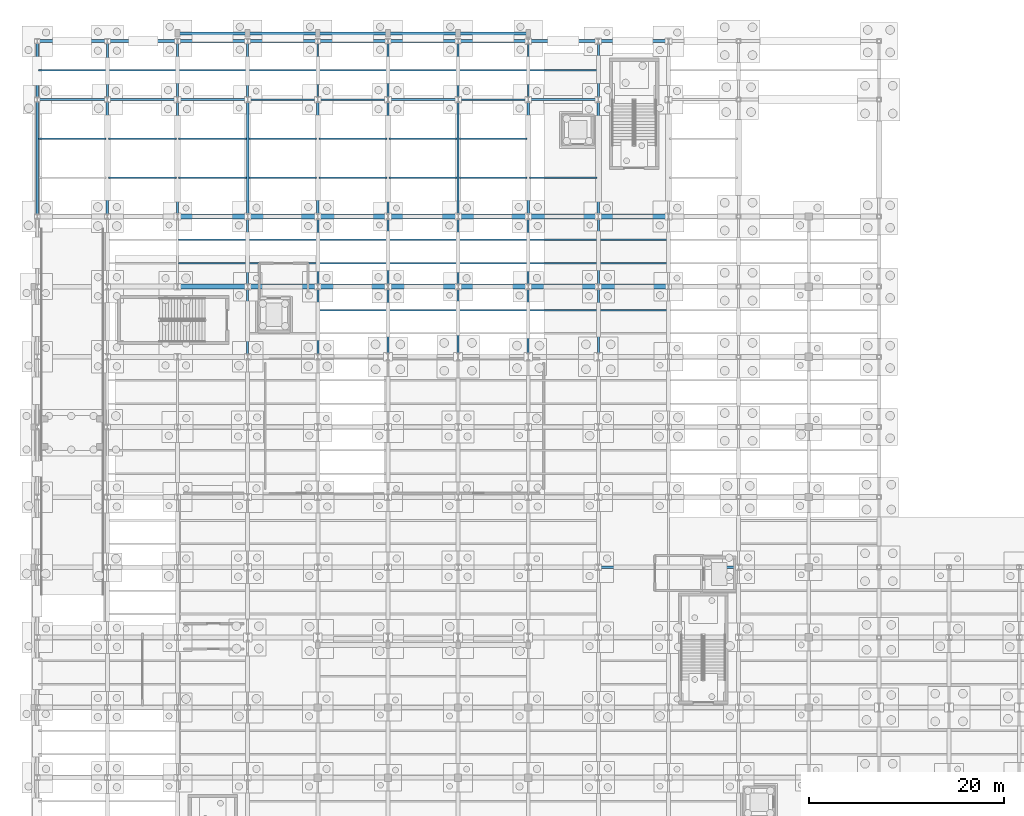
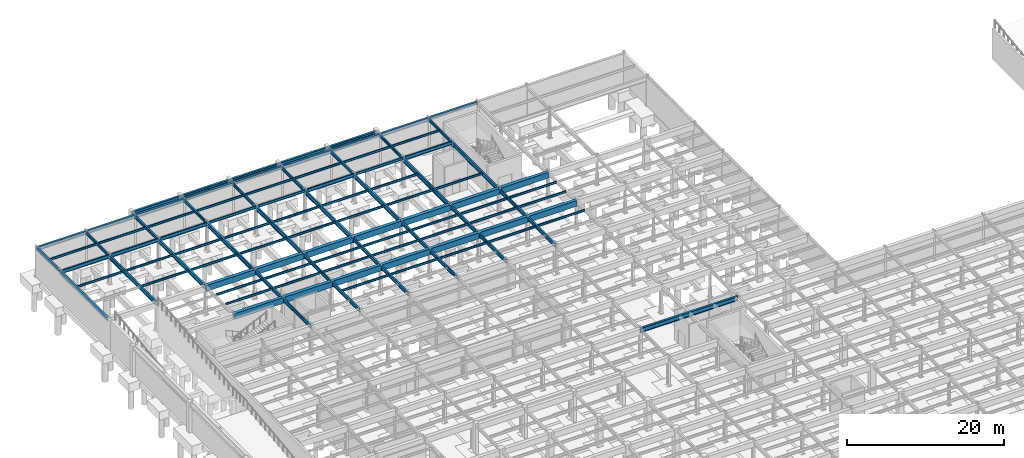
# One storey, part 38 of 64: 108 beams.
"""IFC4 building model written with IfcOpenShell, lengths in metres."""

from ifc_helpers import new_model, si_unit, direction, frame, origin, origin_2d, place, context, subcontext, project, spatial, rectangle, i_section, extrude, material, material_profile, profile_set, type_object, element, save


model = new_model("IFC4")

# Units and contexts
model_context = context("Model", 3, precision=1e-05, world=origin(), true_north=direction((0.0, 1.0)))
body_context = subcontext(model_context, "Body", "Model", "MODEL_VIEW")
ifc_project = project(units=[si_unit("LENGTHUNIT", "METRE"), si_unit("AREAUNIT", "SQUARE_METRE"), si_unit("VOLUMEUNIT", "CUBIC_METRE"), si_unit("PLANEANGLEUNIT", "RADIAN"), si_unit("MASSUNIT", "GRAM", prefix="KILO")], contexts=[model_context])

# Site, building, storey
site_placement = place(None, origin())
site = spatial("IfcSite", under=ifc_project, at=site_placement, CompositionType="ELEMENT")
building_placement = place(site_placement, origin())
building = spatial("IfcBuilding", under=site, at=building_placement, Name="Solvadek Multi-Sports Hall", CompositionType="ELEMENT")
storey_placement = place(building_placement, frame((0.0, 0.0, -4.800048828125)))
storey = spatial("IfcBuildingStorey", under=building, at=storey_placement, Name="B1", CompositionType="ELEMENT", Elevation=-4.800048828125)

# Beams
ifc_material_1 = material(Name="Steel E350 (350 MPa)", Category="steel")
ifc_material_profile_1 = material_profile(ifc_material_1, i_section(OverallWidth=0.139892578125, OverallDepth=0.39990234375, WebThickness=0.0087890625, FlangeThickness=0.01611328125, at=origin_2d()), Name="ISMB 400")
ifc_profile_set_1 = profile_set([ifc_material_profile_1], Name="Steel E350 (350 MPa)")
beam_type_1 = type_object("IfcBeamType", Name="STR-BM-ISMB400", PredefinedType="BEAM", material=ifc_profile_set_1)
for number, where, z_axis, x_axis, name in (
    (1, (21.60009765625, 104.39990234375, 4.35009765625), (1.0, 0.0, 0.0), (0.0, 1.0, 0.0), "B1 Girder B-10 #230"),
    (2, (28.800048828125, 104.39990234375, 4.35009765625), (1.0, 0.0, 0.0), (0.0, 1.0, 0.0), "B1 Girder B-10 #231"),
    (3, (43.199951171875, 104.39990234375, 4.35009765625), (1.0, 0.0, 0.0), (0.0, 1.0, 0.0), "B1 Girder B-10 #233"),
):
    element("IfcBeam", number, at=place(storey_placement, frame(where, z_axis=z_axis, x_axis=x_axis)), inside=storey, type_object=beam_type_1, Name=name, PredefinedType="BEAM", context=body_context, shape_type="SweptSolid", body=[
        extrude(i_section(OverallWidth=0.139892578125, OverallDepth=0.39990234375, WebThickness=0.0087890625, FlangeThickness=0.01611328125, at=origin_2d()), origin(), (0.0, 0.0, 1.0), 7.199951171875),
    ])
ifc_material_profile_2 = material_profile(ifc_material_1, i_section(OverallWidth=0.18994140625, OverallDepth=0.550048828125, WebThickness=0.01123046875, FlangeThickness=0.019287109375, at=origin_2d()), Name="ISMB 550")
ifc_profile_set_2 = profile_set([ifc_material_profile_2], Name="Steel E350 (350 MPa)")
beam_type_2 = type_object("IfcBeamType", Name="STR-BM-ISMB550", PredefinedType="BEAM", material=ifc_profile_set_2)
for number, where, z_axis, x_axis, name in (
    (4, (0.0, 104.39990234375, 4.275146484375), (1.0, 0.0, 0.0), (0.0, 1.0, 0.0), "B1 Girder B-06 #227"),
    (5, (7.199951171875, 104.39990234375, 4.275146484375), (1.0, 0.0, 0.0), (0.0, 1.0, 0.0), "B1 Girder B-06 #228"),
):
    element("IfcBeam", number, at=place(storey_placement, frame(where, z_axis=z_axis, x_axis=x_axis)), inside=storey, type_object=beam_type_2, Name=name, PredefinedType="BEAM", context=body_context, shape_type="SweptSolid", body=[
        extrude(i_section(OverallWidth=0.18994140625, OverallDepth=0.550048828125, WebThickness=0.01123046875, FlangeThickness=0.019287109375, at=origin_2d()), origin(), (0.0, 0.0, 1.0), 7.199951171875),
    ])
beam_1_placement = place(storey_placement, frame((14.39990234375, 104.39990234375, 4.275146484375), z_axis=(1.0, 0.0, 0.0), x_axis=(0.0, 1.0, 0.0)))
element("IfcBeam", 6, at=beam_1_placement, inside=storey, type_object=beam_type_2, Name="B1 Girder B-06 #229", PredefinedType="BEAM", context=body_context, shape_type="SweptSolid", body=[
    extrude(i_section(OverallWidth=0.18994140625, OverallDepth=0.550048828125, WebThickness=0.01123046875, FlangeThickness=0.019287109375, at=origin_2d()), origin(), (0.0, 0.0, 1.0), 7.2001953125),
])
beam_2_placement = place(storey_placement, frame((36.0, 104.39990234375, 4.275146484375), z_axis=(1.0, 0.0, 0.0), x_axis=(0.0, 1.0, 0.0)))
element("IfcBeam", 7, at=beam_2_placement, inside=storey, type_object=beam_type_2, Name="B1 Girder B-06 #232", PredefinedType="BEAM", context=body_context, shape_type="SweptSolid", body=[
    extrude(i_section(OverallWidth=0.18994140625, OverallDepth=0.550048828125, WebThickness=0.01123046875, FlangeThickness=0.019287109375, at=origin_2d()), origin(), (0.0, 0.0, 1.0), 7.199951171875),
])
beam_3_placement = place(storey_placement, frame((50.39990234375, 104.39990234375, 4.275146484375), z_axis=(1.0, 0.0, 0.0), x_axis=(0.0, 1.0, 0.0)))
element("IfcBeam", 8, at=beam_3_placement, inside=storey, type_object=beam_type_2, Name="B1 Girder B-06 #234", PredefinedType="BEAM", context=body_context, shape_type="SweptSolid", body=[
    extrude(i_section(OverallWidth=0.18994140625, OverallDepth=0.550048828125, WebThickness=0.01123046875, FlangeThickness=0.019287109375, at=origin_2d()), origin(), (0.0, 0.0, 1.0), 7.2001953125),
])
ifc_material_profile_3 = material_profile(ifc_material_1, i_section(OverallWidth=0.18994140625, OverallDepth=0.449951171875, WebThickness=0.009521484375, FlangeThickness=0.0146484375, at=origin_2d()), Name="NPB 450")
ifc_profile_set_3 = profile_set([ifc_material_profile_3], Name="Steel E350 (350 MPa)")
beam_type_3 = type_object("IfcBeamType", Name="STR-BM-NPB450", PredefinedType="BEAM", material=ifc_profile_set_3)
for number, where, z_axis, x_axis, name in (
    (9, (7.199951171875, 104.39990234375, 4.324951171875), (0.0, 1.0, 0.0), (-1.0, 0.0, 0.0), "B1 Girder B-08 #280"),
    (10, (14.39990234375, 104.39990234375, 4.324951171875), (0.0, 1.0, 0.0), (-1.0, 0.0, 0.0), "B1 Girder B-08 #291"),
    (11, (21.60009765625, 104.39990234375, 4.324951171875), (0.0, 1.0, 0.0), (-1.0, 0.0, 0.0), "B1 Girder B-08 #303"),
    (12, (28.800048828125, 104.39990234375, 4.324951171875), (0.0, 1.0, 0.0), (-1.0, 0.0, 0.0), "B1 Girder B-08 #315"),
    (13, (36.0, 104.39990234375, 4.324951171875), (0.0, 1.0, 0.0), (-1.0, 0.0, 0.0), "B1 Girder B-08 #329"),
    (14, (43.199951171875, 104.39990234375, 4.324951171875), (0.0, 1.0, 0.0), (-1.0, 0.0, 0.0), "B1 Girder B-08 #345"),
    (15, (50.39990234375, 104.39990234375, 4.324951171875), (0.0, 1.0, 0.0), (-1.0, 0.0, 0.0), "B1 Girder B-08 #361"),
    (16, (57.60009765625, 104.39990234375, 4.324951171875), (0.0, 1.0, 0.0), (-1.0, 0.0, 0.0), "B1 Girder B-08 #380"),
):
    element("IfcBeam", number, at=place(storey_placement, frame(where, z_axis=z_axis, x_axis=x_axis)), inside=storey, type_object=beam_type_3, Name=name, PredefinedType="BEAM", context=body_context, shape_type="SweptSolid", body=[
        extrude(i_section(OverallWidth=0.18994140625, OverallDepth=0.449951171875, WebThickness=0.009521484375, FlangeThickness=0.0146484375, at=origin_2d()), origin(), (0.0, 0.0, 1.0), 6.0),
    ])
ifc_material_profile_4 = material_profile(ifc_material_1, i_section(OverallWidth=0.2099609375, OverallDepth=0.550048828125, WebThickness=0.010986328125, FlangeThickness=0.01708984375, at=origin_2d()), Name="NPB 550")
ifc_profile_set_4 = profile_set([ifc_material_profile_4], Name="Steel E350 (350 MPa)")
beam_type_4 = type_object("IfcBeamType", Name="STR-BM-NPB550", PredefinedType="BEAM", material=ifc_profile_set_4)
for number, where, z_axis, x_axis, name in (
    (17, (21.60009765625, 78.0, 4.275146484375), (0.0, 1.0, 0.0), (-1.0, 0.0, 0.0), "B1 Girder B-05 #300"),
    (18, (21.60009765625, 85.199951171875, 4.275146484375), (0.0, 1.0, 0.0), (-1.0, 0.0, 0.0), "B1 Girder B-05 #301"),
    (19, (28.800048828125, 78.0, 4.275146484375), (0.0, 1.0, 0.0), (-1.0, 0.0, 0.0), "B1 Girder B-05 #312"),
    (20, (28.800048828125, 85.199951171875, 4.275146484375), (0.0, 1.0, 0.0), (-1.0, 0.0, 0.0), "B1 Girder B-05 #313"),
    (21, (36.0, 78.0, 4.275146484375), (0.0, 1.0, 0.0), (-1.0, 0.0, 0.0), "B1 Girder B-05 #326"),
    (22, (36.0, 85.199951171875, 4.275146484375), (0.0, 1.0, 0.0), (-1.0, 0.0, 0.0), "B1 Girder B-05 #327"),
    (23, (43.199951171875, 78.0, 4.275146484375), (0.0, 1.0, 0.0), (-1.0, 0.0, 0.0), "B1 Girder B-05 #342"),
    (24, (43.199951171875, 85.199951171875, 4.275146484375), (0.0, 1.0, 0.0), (-1.0, 0.0, 0.0), "B1 Girder B-05 #343"),
    (25, (50.39990234375, 78.0, 4.275146484375), (0.0, 1.0, 0.0), (-1.0, 0.0, 0.0), "B1 Girder B-05 #358"),
    (26, (50.39990234375, 85.199951171875, 4.275146484375), (0.0, 1.0, 0.0), (-1.0, 0.0, 0.0), "B1 Girder B-05 #359"),
    (27, (57.60009765625, 78.0, 4.275146484375), (0.0, 1.0, 0.0), (-1.0, 0.0, 0.0), "B1 Girder B-05 #377"),
    (28, (57.60009765625, 85.199951171875, 4.275146484375), (0.0, 1.0, 0.0), (-1.0, 0.0, 0.0), "B1 Girder B-05 #378"),
):
    element("IfcBeam", number, at=place(storey_placement, frame(where, z_axis=z_axis, x_axis=x_axis)), inside=storey, type_object=beam_type_4, Name=name, PredefinedType="BEAM", context=body_context, shape_type="SweptSolid", body=[
        extrude(i_section(OverallWidth=0.2099609375, OverallDepth=0.550048828125, WebThickness=0.010986328125, FlangeThickness=0.01708984375, at=origin_2d()), origin(), (0.0, 0.0, 1.0), 7.199951171875),
    ])
ifc_material_profile_5 = material_profile(ifc_material_1, i_section(OverallWidth=0.239990234375, OverallDepth=0.64990234375, WebThickness=0.0126953125, FlangeThickness=0.0205078125, at=origin_2d()), Name="NPB 650")
ifc_profile_set_5 = profile_set([ifc_material_profile_5], Name="Steel E350 (350 MPa)")
beam_type_5 = type_object("IfcBeamType", Name="STR-BM-NPB650", PredefinedType="BEAM", material=ifc_profile_set_5)
for number, where, z_axis, x_axis, name in (
    (29, (7.199951171875, 92.39990234375, 4.22509765625), (0.0, 1.0, 0.0), (-1.0, 0.0, 0.0), "B1 Girder B-03 #279"),
    (30, (14.39990234375, 92.39990234375, 4.22509765625), (0.0, 1.0, 0.0), (-1.0, 0.0, 0.0), "B1 Girder B-03 #290"),
    (31, (21.60009765625, 92.39990234375, 4.22509765625), (0.0, 1.0, 0.0), (-1.0, 0.0, 0.0), "B1 Girder B-03 #302"),
    (32, (28.800048828125, 92.39990234375, 4.22509765625), (0.0, 1.0, 0.0), (-1.0, 0.0, 0.0), "B1 Girder B-03 #314"),
    (33, (36.0, 92.39990234375, 4.22509765625), (0.0, 1.0, 0.0), (-1.0, 0.0, 0.0), "B1 Girder B-03 #328"),
    (34, (43.199951171875, 92.39990234375, 4.22509765625), (0.0, 1.0, 0.0), (-1.0, 0.0, 0.0), "B1 Girder B-03 #344"),
    (35, (50.39990234375, 92.39990234375, 4.22509765625), (0.0, 1.0, 0.0), (-1.0, 0.0, 0.0), "B1 Girder B-03 #360"),
    (36, (57.60009765625, 92.39990234375, 4.22509765625), (0.0, 1.0, 0.0), (-1.0, 0.0, 0.0), "B1 Girder B-03 #379"),
):
    element("IfcBeam", number, at=place(storey_placement, frame(where, z_axis=z_axis, x_axis=x_axis)), inside=storey, type_object=beam_type_5, Name=name, PredefinedType="BEAM", context=body_context, shape_type="SweptSolid", body=[
        extrude(i_section(OverallWidth=0.239990234375, OverallDepth=0.64990234375, WebThickness=0.0126953125, FlangeThickness=0.0205078125, at=origin_2d()), origin(), (0.0, 0.0, 1.0), 12.0),
    ])
ifc_material_profile_6 = material_profile(ifc_material_1, i_section(OverallWidth=0.300048828125, OverallDepth=0.699951171875, WebThickness=0.01708984375, FlangeThickness=0.031982421875, at=origin_2d()), Name="WPB 700")
ifc_profile_set_6 = profile_set([ifc_material_profile_6], Name="Steel E350 (350 MPa)")
beam_type_6 = type_object("IfcBeamType", Name="STR-BM-WPB700", PredefinedType="BEAM", material=ifc_profile_set_6)
beam_4_placement = place(storey_placement, frame((57.60009765625, 56.39990234375, 4.199951171875), z_axis=(1.0, 0.0, 0.0), x_axis=(0.0, 1.0, 0.0)))
element("IfcBeam", 37, at=beam_4_placement, inside=storey, type_object=beam_type_6, Name="B1 Girder B-01 #150", PredefinedType="BEAM", context=body_context, shape_type="SweptSolid", body=[
    extrude(i_section(OverallWidth=0.300048828125, OverallDepth=0.699951171875, WebThickness=0.01708984375, FlangeThickness=0.031982421875, at=origin_2d()), origin(), (0.0, 0.0, 1.0), 14.39990234375),
])
ifc_material_profile_7 = material_profile(ifc_material_1, i_section(OverallWidth=0.159912109375, OverallDepth=0.330078125, WebThickness=0.007568359375, FlangeThickness=0.011474609375, at=origin_2d()), Name="NPB 330")
ifc_profile_set_7 = profile_set([ifc_material_profile_7], Name="Steel E350 (350 MPa)")
beam_type_7 = type_object("IfcBeamType", Name="STR-JST-NPB330", PredefinedType="JOIST", material=ifc_profile_set_7)
for number, where, z_axis, x_axis, name in (
    (38, (28.905029296875, 82.800048828125, 4.385009765625), (1.0, 0.0, 0.0), (0.0, 1.0, 0.0), "B1 Composite Joist J-02 #303"),
    (39, (36.10498046875, 82.800048828125, 4.385009765625), (1.0, 0.0, 0.0), (0.0, 1.0, 0.0), "B1 Composite Joist J-02 #305"),
    (40, (43.304931640625, 82.800048828125, 4.385009765625), (1.0, 0.0, 0.0), (0.0, 1.0, 0.0), "B1 Composite Joist J-02 #307"),
):
    element("IfcBeam", number, at=place(storey_placement, frame(where, z_axis=z_axis, x_axis=x_axis)), inside=storey, type_object=beam_type_7, Name=name, PredefinedType="JOIST", context=body_context, shape_type="SweptSolid", body=[
        extrude(i_section(OverallWidth=0.159912109375, OverallDepth=0.330078125, WebThickness=0.007568359375, FlangeThickness=0.011474609375, at=origin_2d()), origin(), (0.0, 0.0, 1.0), 6.989990234375),
    ])
beam_5_placement = place(storey_placement, frame((50.5048828125, 82.800048828125, 4.385009765625), z_axis=(1.0, 0.0, 0.0), x_axis=(0.0, 1.0, 0.0)))
element("IfcBeam", 41, at=beam_5_placement, inside=storey, type_object=beam_type_7, Name="B1 Composite Joist J-02 #309", PredefinedType="JOIST", context=body_context, shape_type="SweptSolid", body=[
    extrude(i_section(OverallWidth=0.159912109375, OverallDepth=0.330078125, WebThickness=0.007568359375, FlangeThickness=0.011474609375, at=origin_2d()), origin(), (0.0, 0.0, 1.0), 6.990234375),
])
beam_6_placement = place(storey_placement, frame((57.705078125, 82.800048828125, 4.385009765625), z_axis=(1.0, 0.0, 0.0), x_axis=(0.0, 1.0, 0.0)))
element("IfcBeam", 42, at=beam_6_placement, inside=storey, type_object=beam_type_7, Name="B1 Composite Joist J-02 #311", PredefinedType="JOIST", context=body_context, shape_type="SweptSolid", body=[
    extrude(i_section(OverallWidth=0.159912109375, OverallDepth=0.330078125, WebThickness=0.007568359375, FlangeThickness=0.011474609375, at=origin_2d()), origin(), (0.0, 0.0, 1.0), 6.989990234375),
])
for number, where, z_axis, x_axis, name in (
    (43, (14.5048828125, 87.60009765625, 4.385009765625), (1.0, 0.0, 0.0), (0.0, 1.0, 0.0), "B1 Composite Joist J-02 #320"),
    (44, (14.5048828125, 90.0, 4.385009765625), (1.0, 0.0, 0.0), (0.0, 1.0, 0.0), "B1 Composite Joist J-02 #321"),
):
    element("IfcBeam", number, at=place(storey_placement, frame(where, z_axis=z_axis, x_axis=x_axis)), inside=storey, type_object=beam_type_7, Name=name, PredefinedType="JOIST", context=body_context, shape_type="SweptSolid", body=[
        extrude(i_section(OverallWidth=0.159912109375, OverallDepth=0.330078125, WebThickness=0.007568359375, FlangeThickness=0.011474609375, at=origin_2d()), origin(), (0.0, 0.0, 1.0), 6.990234375),
    ])
for number, where, z_axis, x_axis, name in (
    (45, (21.705078125, 87.60009765625, 4.385009765625), (1.0, 0.0, 0.0), (0.0, 1.0, 0.0), "B1 Composite Joist J-02 #322"),
    (46, (21.705078125, 90.0, 4.385009765625), (1.0, 0.0, 0.0), (0.0, 1.0, 0.0), "B1 Composite Joist J-02 #323"),
    (47, (28.905029296875, 87.60009765625, 4.385009765625), (1.0, 0.0, 0.0), (0.0, 1.0, 0.0), "B1 Composite Joist J-02 #324"),
    (48, (28.905029296875, 90.0, 4.385009765625), (1.0, 0.0, 0.0), (0.0, 1.0, 0.0), "B1 Composite Joist J-02 #325"),
    (49, (36.10498046875, 87.60009765625, 4.385009765625), (1.0, 0.0, 0.0), (0.0, 1.0, 0.0), "B1 Composite Joist J-02 #326"),
    (50, (36.10498046875, 90.0, 4.385009765625), (1.0, 0.0, 0.0), (0.0, 1.0, 0.0), "B1 Composite Joist J-02 #327"),
    (51, (43.304931640625, 87.60009765625, 4.385009765625), (1.0, 0.0, 0.0), (0.0, 1.0, 0.0), "B1 Composite Joist J-02 #328"),
    (52, (43.304931640625, 90.0, 4.385009765625), (1.0, 0.0, 0.0), (0.0, 1.0, 0.0), "B1 Composite Joist J-02 #329"),
):
    element("IfcBeam", number, at=place(storey_placement, frame(where, z_axis=z_axis, x_axis=x_axis)), inside=storey, type_object=beam_type_7, Name=name, PredefinedType="JOIST", context=body_context, shape_type="SweptSolid", body=[
        extrude(i_section(OverallWidth=0.159912109375, OverallDepth=0.330078125, WebThickness=0.007568359375, FlangeThickness=0.011474609375, at=origin_2d()), origin(), (0.0, 0.0, 1.0), 6.989990234375),
    ])
for number, where, z_axis, x_axis, name in (
    (53, (50.5048828125, 87.60009765625, 4.385009765625), (1.0, 0.0, 0.0), (0.0, 1.0, 0.0), "B1 Composite Joist J-02 #330"),
    (54, (50.5048828125, 90.0, 4.385009765625), (1.0, 0.0, 0.0), (0.0, 1.0, 0.0), "B1 Composite Joist J-02 #331"),
):
    element("IfcBeam", number, at=place(storey_placement, frame(where, z_axis=z_axis, x_axis=x_axis)), inside=storey, type_object=beam_type_7, Name=name, PredefinedType="JOIST", context=body_context, shape_type="SweptSolid", body=[
        extrude(i_section(OverallWidth=0.159912109375, OverallDepth=0.330078125, WebThickness=0.007568359375, FlangeThickness=0.011474609375, at=origin_2d()), origin(), (0.0, 0.0, 1.0), 6.990234375),
    ])
for number, where, z_axis, x_axis, name in (
    (55, (57.705078125, 87.60009765625, 4.385009765625), (1.0, 0.0, 0.0), (0.0, 1.0, 0.0), "B1 Composite Joist J-02 #332"),
    (56, (57.705078125, 90.0, 4.385009765625), (1.0, 0.0, 0.0), (0.0, 1.0, 0.0), "B1 Composite Joist J-02 #333"),
):
    element("IfcBeam", number, at=place(storey_placement, frame(where, z_axis=z_axis, x_axis=x_axis)), inside=storey, type_object=beam_type_7, Name=name, PredefinedType="JOIST", context=body_context, shape_type="SweptSolid", body=[
        extrude(i_section(OverallWidth=0.159912109375, OverallDepth=0.330078125, WebThickness=0.007568359375, FlangeThickness=0.011474609375, at=origin_2d()), origin(), (0.0, 0.0, 1.0), 6.989990234375),
    ])
beam_7_placement = place(storey_placement, frame((0.14990234375, 100.39990234375, 4.385009765625), z_axis=(1.0, 0.0, 0.0), x_axis=(0.0, 1.0, 0.0)))
element("IfcBeam", 57, at=beam_7_placement, inside=storey, type_object=beam_type_7, Name="B1 Composite Joist J-02 #341", PredefinedType="JOIST", context=body_context, shape_type="SweptSolid", body=[
    extrude(i_section(OverallWidth=0.159912109375, OverallDepth=0.330078125, WebThickness=0.007568359375, FlangeThickness=0.011474609375, at=origin_2d()), origin(), (0.0, 0.0, 1.0), 6.93017578125),
])
for number, where, z_axis, x_axis, name in (
    (58, (7.320068359375, 96.39990234375, 4.385009765625), (1.0, 0.0, 0.0), (0.0, 1.0, 0.0), "B1 Composite Joist J-02 #342"),
    (59, (7.320068359375, 100.39990234375, 4.385009765625), (1.0, 0.0, 0.0), (0.0, 1.0, 0.0), "B1 Composite Joist J-02 #343"),
    (60, (14.52001953125, 96.39990234375, 4.385009765625), (1.0, 0.0, 0.0), (0.0, 1.0, 0.0), "B1 Composite Joist J-02 #344"),
    (61, (14.52001953125, 100.39990234375, 4.385009765625), (1.0, 0.0, 0.0), (0.0, 1.0, 0.0), "B1 Composite Joist J-02 #345"),
    (62, (21.719970703125, 96.39990234375, 4.385009765625), (1.0, 0.0, 0.0), (0.0, 1.0, 0.0), "B1 Composite Joist J-02 #346"),
    (63, (21.719970703125, 100.39990234375, 4.385009765625), (1.0, 0.0, 0.0), (0.0, 1.0, 0.0), "B1 Composite Joist J-02 #347"),
    (64, (28.919921875, 96.39990234375, 4.385009765625), (1.0, 0.0, 0.0), (0.0, 1.0, 0.0), "B1 Composite Joist J-02 #348"),
    (65, (28.919921875, 100.39990234375, 4.385009765625), (1.0, 0.0, 0.0), (0.0, 1.0, 0.0), "B1 Composite Joist J-02 #349"),
    (66, (36.1201171875, 96.39990234375, 4.385009765625), (1.0, 0.0, 0.0), (0.0, 1.0, 0.0), "B1 Composite Joist J-02 #350"),
    (67, (36.1201171875, 100.39990234375, 4.385009765625), (1.0, 0.0, 0.0), (0.0, 1.0, 0.0), "B1 Composite Joist J-02 #351"),
    (68, (43.320068359375, 96.39990234375, 4.385009765625), (1.0, 0.0, 0.0), (0.0, 1.0, 0.0), "B1 Composite Joist J-02 #352"),
    (69, (43.320068359375, 100.39990234375, 4.385009765625), (1.0, 0.0, 0.0), (0.0, 1.0, 0.0), "B1 Composite Joist J-02 #353"),
    (70, (50.52001953125, 96.39990234375, 4.385009765625), (1.0, 0.0, 0.0), (0.0, 1.0, 0.0), "B1 Composite Joist J-02 #354"),
):
    element("IfcBeam", number, at=place(storey_placement, frame(where, z_axis=z_axis, x_axis=x_axis)), inside=storey, type_object=beam_type_7, Name=name, PredefinedType="JOIST", context=body_context, shape_type="SweptSolid", body=[
        extrude(i_section(OverallWidth=0.159912109375, OverallDepth=0.330078125, WebThickness=0.007568359375, FlangeThickness=0.011474609375, at=origin_2d()), origin(), (0.0, 0.0, 1.0), 6.9599609375),
    ])
beam_8_placement = place(storey_placement, frame((0.14990234375, 107.39990234375, 4.385009765625), z_axis=(1.0, 0.0, 0.0), x_axis=(0.0, 1.0, 0.0)))
element("IfcBeam", 71, at=beam_8_placement, inside=storey, type_object=beam_type_7, Name="B1 Composite Joist J-02 #357", PredefinedType="JOIST", context=body_context, shape_type="SweptSolid", body=[
    extrude(i_section(OverallWidth=0.159912109375, OverallDepth=0.330078125, WebThickness=0.007568359375, FlangeThickness=0.011474609375, at=origin_2d()), origin(), (0.0, 0.0, 1.0), 6.955078125),
])
beam_9_placement = place(storey_placement, frame((7.294921875, 107.39990234375, 4.385009765625), z_axis=(1.0, 0.0, 0.0), x_axis=(0.0, 1.0, 0.0)))
element("IfcBeam", 72, at=beam_9_placement, inside=storey, type_object=beam_type_7, Name="B1 Composite Joist J-02 #358", PredefinedType="JOIST", context=body_context, shape_type="SweptSolid", body=[
    extrude(i_section(OverallWidth=0.159912109375, OverallDepth=0.330078125, WebThickness=0.007568359375, FlangeThickness=0.011474609375, at=origin_2d()), origin(), (0.0, 0.0, 1.0), 7.010009765625),
])
beam_10_placement = place(storey_placement, frame((14.4951171875, 107.39990234375, 4.385009765625), z_axis=(1.0, 0.0, 0.0), x_axis=(0.0, 1.0, 0.0)))
element("IfcBeam", 73, at=beam_10_placement, inside=storey, type_object=beam_type_7, Name="B1 Composite Joist J-02 #359", PredefinedType="JOIST", context=body_context, shape_type="SweptSolid", body=[
    extrude(i_section(OverallWidth=0.159912109375, OverallDepth=0.330078125, WebThickness=0.007568359375, FlangeThickness=0.011474609375, at=origin_2d()), origin(), (0.0, 0.0, 1.0), 7.009765625),
])
for number, where, z_axis, x_axis, name in (
    (74, (21.695068359375, 107.39990234375, 4.385009765625), (1.0, 0.0, 0.0), (0.0, 1.0, 0.0), "B1 Composite Joist J-02 #360"),
    (75, (28.89501953125, 107.39990234375, 4.385009765625), (1.0, 0.0, 0.0), (0.0, 1.0, 0.0), "B1 Composite Joist J-02 #361"),
    (76, (36.094970703125, 107.39990234375, 4.385009765625), (1.0, 0.0, 0.0), (0.0, 1.0, 0.0), "B1 Composite Joist J-02 #362"),
    (77, (43.294921875, 107.39990234375, 4.385009765625), (1.0, 0.0, 0.0), (0.0, 1.0, 0.0), "B1 Composite Joist J-02 #363"),
):
    element("IfcBeam", number, at=place(storey_placement, frame(where, z_axis=z_axis, x_axis=x_axis)), inside=storey, type_object=beam_type_7, Name=name, PredefinedType="JOIST", context=body_context, shape_type="SweptSolid", body=[
        extrude(i_section(OverallWidth=0.159912109375, OverallDepth=0.330078125, WebThickness=0.007568359375, FlangeThickness=0.011474609375, at=origin_2d()), origin(), (0.0, 0.0, 1.0), 7.010009765625),
    ])
beam_11_placement = place(storey_placement, frame((50.4951171875, 107.39990234375, 4.385009765625), z_axis=(1.0, 0.0, 0.0), x_axis=(0.0, 1.0, 0.0)))
element("IfcBeam", 78, at=beam_11_placement, inside=storey, type_object=beam_type_7, Name="B1 Composite Joist J-02 #364", PredefinedType="JOIST", context=body_context, shape_type="SweptSolid", body=[
    extrude(i_section(OverallWidth=0.159912109375, OverallDepth=0.330078125, WebThickness=0.007568359375, FlangeThickness=0.011474609375, at=origin_2d()), origin(), (0.0, 0.0, 1.0), 7.009765625),
])
ifc_material_profile_8 = material_profile(ifc_material_1, i_section(OverallWidth=0.300048828125, OverallDepth=0.39990234375, WebThickness=0.013427734375, FlangeThickness=0.02392578125, at=origin_2d()), Name="WPB 400")
ifc_profile_set_8 = profile_set([ifc_material_profile_8], Name="Steel E350 (350 MPa)")
beam_type_8 = type_object("IfcBeamType", Name="STR-SPN-WPB400", PredefinedType="SPANDREL", material=ifc_profile_set_8)
for number, where, z_axis, x_axis, name in (
    (79, (21.60009765625, 110.39990234375, 4.35009765625), (1.0, 0.0, 0.0), (0.0, 1.0, 0.0), "B1 Girder SP-02 #240"),
    (80, (28.800048828125, 110.39990234375, 4.35009765625), (1.0, 0.0, 0.0), (0.0, 1.0, 0.0), "B1 Girder SP-02 #241"),
    (81, (43.199951171875, 110.39990234375, 4.35009765625), (1.0, 0.0, 0.0), (0.0, 1.0, 0.0), "B1 Girder SP-02 #243"),
    (82, (57.60009765625, 110.39990234375, 4.35009765625), (1.0, 0.0, 0.0), (0.0, 1.0, 0.0), "B1 Girder SP-02 #245"),
    (83, (21.60009765625, 111.199951171875, 4.35009765625), (1.0, 0.0, 0.0), (0.0, 1.0, 0.0), "B1 Girder SP-02 #249"),
    (84, (28.800048828125, 111.199951171875, 4.35009765625), (1.0, 0.0, 0.0), (0.0, 1.0, 0.0), "B1 Girder SP-02 #250"),
    (85, (43.199951171875, 111.199951171875, 4.35009765625), (1.0, 0.0, 0.0), (0.0, 1.0, 0.0), "B1 Girder SP-02 #252"),
):
    element("IfcBeam", number, at=place(storey_placement, frame(where, z_axis=z_axis, x_axis=x_axis)), inside=storey, type_object=beam_type_8, Name=name, PredefinedType="SPANDREL", context=body_context, shape_type="SweptSolid", body=[
        extrude(i_section(OverallWidth=0.300048828125, OverallDepth=0.39990234375, WebThickness=0.013427734375, FlangeThickness=0.02392578125, at=origin_2d()), origin(), (0.0, 0.0, 1.0), 7.199951171875),
    ])
beam_12_placement = place(storey_placement, frame((0.0, 104.39990234375, 4.35009765625), z_axis=(0.0, 1.0, 0.0), x_axis=(-1.0, 0.0, 0.0)))
element("IfcBeam", 86, at=beam_12_placement, inside=storey, type_object=beam_type_8, Name="B1 Girder SP-02 #268", PredefinedType="SPANDREL", context=body_context, shape_type="SweptSolid", body=[
    extrude(i_section(OverallWidth=0.300048828125, OverallDepth=0.39990234375, WebThickness=0.013427734375, FlangeThickness=0.02392578125, at=origin_2d()), origin(), (0.0, 0.0, 1.0), 6.0),
])
ifc_material_profile_9 = material_profile(ifc_material_1, i_section(OverallWidth=0.300048828125, OverallDepth=0.5, WebThickness=0.014404296875, FlangeThickness=0.028076171875, at=origin_2d()), Name="WPB 500")
ifc_profile_set_9 = profile_set([ifc_material_profile_9], Name="Steel E350 (350 MPa)")
beam_type_9 = type_object("IfcBeamType", Name="STR-SPN-WPB500", PredefinedType="SPANDREL", material=ifc_profile_set_9)
for number, where, z_axis, x_axis, name in (
    (87, (0.0, 110.39990234375, 4.300048828125), (1.0, 0.0, 0.0), (0.0, 1.0, 0.0), "B1 Girder SP-01 #237"),
    (88, (7.199951171875, 110.39990234375, 4.300048828125), (1.0, 0.0, 0.0), (0.0, 1.0, 0.0), "B1 Girder SP-01 #238"),
):
    element("IfcBeam", number, at=place(storey_placement, frame(where, z_axis=z_axis, x_axis=x_axis)), inside=storey, type_object=beam_type_9, Name=name, PredefinedType="SPANDREL", context=body_context, shape_type="SweptSolid", body=[
        extrude(i_section(OverallWidth=0.300048828125, OverallDepth=0.5, WebThickness=0.014404296875, FlangeThickness=0.028076171875, at=origin_2d()), origin(), (0.0, 0.0, 1.0), 7.199951171875),
    ])
beam_13_placement = place(storey_placement, frame((14.39990234375, 110.39990234375, 4.300048828125), z_axis=(1.0, 0.0, 0.0), x_axis=(0.0, 1.0, 0.0)))
element("IfcBeam", 89, at=beam_13_placement, inside=storey, type_object=beam_type_9, Name="B1 Girder SP-01 #239", PredefinedType="SPANDREL", context=body_context, shape_type="SweptSolid", body=[
    extrude(i_section(OverallWidth=0.300048828125, OverallDepth=0.5, WebThickness=0.014404296875, FlangeThickness=0.028076171875, at=origin_2d()), origin(), (0.0, 0.0, 1.0), 7.2001953125),
])
beam_14_placement = place(storey_placement, frame((36.0, 110.39990234375, 4.300048828125), z_axis=(1.0, 0.0, 0.0), x_axis=(0.0, 1.0, 0.0)))
element("IfcBeam", 90, at=beam_14_placement, inside=storey, type_object=beam_type_9, Name="B1 Girder SP-01 #242", PredefinedType="SPANDREL", context=body_context, shape_type="SweptSolid", body=[
    extrude(i_section(OverallWidth=0.300048828125, OverallDepth=0.5, WebThickness=0.014404296875, FlangeThickness=0.028076171875, at=origin_2d()), origin(), (0.0, 0.0, 1.0), 7.199951171875),
])
for number, where, z_axis, x_axis, name in (
    (91, (50.39990234375, 110.39990234375, 4.300048828125), (1.0, 0.0, 0.0), (0.0, 1.0, 0.0), "B1 Girder SP-01 #244"),
    (92, (14.39990234375, 111.199951171875, 4.300048828125), (1.0, 0.0, 0.0), (0.0, 1.0, 0.0), "B1 Girder SP-01 #248"),
):
    element("IfcBeam", number, at=place(storey_placement, frame(where, z_axis=z_axis, x_axis=x_axis)), inside=storey, type_object=beam_type_9, Name=name, PredefinedType="SPANDREL", context=body_context, shape_type="SweptSolid", body=[
        extrude(i_section(OverallWidth=0.300048828125, OverallDepth=0.5, WebThickness=0.014404296875, FlangeThickness=0.028076171875, at=origin_2d()), origin(), (0.0, 0.0, 1.0), 7.2001953125),
    ])
beam_15_placement = place(storey_placement, frame((36.0, 111.199951171875, 4.300048828125), z_axis=(1.0, 0.0, 0.0), x_axis=(0.0, 1.0, 0.0)))
element("IfcBeam", 93, at=beam_15_placement, inside=storey, type_object=beam_type_9, Name="B1 Girder SP-01 #251", PredefinedType="SPANDREL", context=body_context, shape_type="SweptSolid", body=[
    extrude(i_section(OverallWidth=0.300048828125, OverallDepth=0.5, WebThickness=0.014404296875, FlangeThickness=0.028076171875, at=origin_2d()), origin(), (0.0, 0.0, 1.0), 7.199951171875),
])
beam_16_placement = place(storey_placement, frame((0.0, 92.39990234375, 4.300048828125), z_axis=(0.0, 1.0, 0.0), x_axis=(-1.0, 0.0, 0.0)))
element("IfcBeam", 94, at=beam_16_placement, inside=storey, type_object=beam_type_9, Name="B1 Girder SP-01 #267", PredefinedType="SPANDREL", context=body_context, shape_type="SweptSolid", body=[
    extrude(i_section(OverallWidth=0.300048828125, OverallDepth=0.5, WebThickness=0.014404296875, FlangeThickness=0.028076171875, at=origin_2d()), origin(), (0.0, 0.0, 1.0), 12.0),
])
ifc_material_2 = material(Name="Concrete M35", Category="concrete")
ifc_material_profile_10 = material_profile(ifc_material_2, rectangle(XDim=0.5, YDim=0.89990234375, at=origin_2d()), Name="RC T-BEAM 500x900")
ifc_profile_set_10 = profile_set([ifc_material_profile_10], Name="Concrete M35")
beam_type_10 = type_object("IfcBeamType", Name="STR-TBM-500X900", PredefinedType="T_BEAM", material=ifc_profile_set_10)
beam_17_placement = place(storey_placement, frame((14.39990234375, 85.199951171875, 4.10009765625), z_axis=(1.0, 0.0, 0.0), x_axis=(0.0, 1.0, 0.0)))
element("IfcBeam", 95, at=beam_17_placement, inside=storey, type_object=beam_type_10, Name="B1 Girder TB-02 #205", PredefinedType="T_BEAM", context=body_context, shape_type="SweptSolid", body=[
    extrude(rectangle(XDim=0.5, YDim=0.89990234375, at=origin_2d()), origin(), (0.0, 0.0, 1.0), 7.2001953125),
])
for number, where, z_axis, x_axis, name in (
    (96, (21.60009765625, 85.199951171875, 4.10009765625), (1.0, 0.0, 0.0), (0.0, 1.0, 0.0), "B1 Girder TB-02 #206"),
    (97, (28.800048828125, 85.199951171875, 4.10009765625), (1.0, 0.0, 0.0), (0.0, 1.0, 0.0), "B1 Girder TB-02 #207"),
    (98, (36.0, 85.199951171875, 4.10009765625), (1.0, 0.0, 0.0), (0.0, 1.0, 0.0), "B1 Girder TB-02 #208"),
    (99, (43.199951171875, 85.199951171875, 4.10009765625), (1.0, 0.0, 0.0), (0.0, 1.0, 0.0), "B1 Girder TB-02 #209"),
):
    element("IfcBeam", number, at=place(storey_placement, frame(where, z_axis=z_axis, x_axis=x_axis)), inside=storey, type_object=beam_type_10, Name=name, PredefinedType="T_BEAM", context=body_context, shape_type="SweptSolid", body=[
        extrude(rectangle(XDim=0.5, YDim=0.89990234375, at=origin_2d()), origin(), (0.0, 0.0, 1.0), 7.199951171875),
    ])
beam_18_placement = place(storey_placement, frame((50.39990234375, 85.199951171875, 4.10009765625), z_axis=(1.0, 0.0, 0.0), x_axis=(0.0, 1.0, 0.0)))
element("IfcBeam", 100, at=beam_18_placement, inside=storey, type_object=beam_type_10, Name="B1 Girder TB-02 #210", PredefinedType="T_BEAM", context=body_context, shape_type="SweptSolid", body=[
    extrude(rectangle(XDim=0.5, YDim=0.89990234375, at=origin_2d()), origin(), (0.0, 0.0, 1.0), 7.2001953125),
])
beam_19_placement = place(storey_placement, frame((57.60009765625, 85.199951171875, 4.10009765625), z_axis=(1.0, 0.0, 0.0), x_axis=(0.0, 1.0, 0.0)))
element("IfcBeam", 101, at=beam_19_placement, inside=storey, type_object=beam_type_10, Name="B1 Girder TB-02 #211", PredefinedType="T_BEAM", context=body_context, shape_type="SweptSolid", body=[
    extrude(rectangle(XDim=0.5, YDim=0.89990234375, at=origin_2d()), origin(), (0.0, 0.0, 1.0), 7.199951171875),
])
beam_20_placement = place(storey_placement, frame((14.39990234375, 92.39990234375, 4.10009765625), z_axis=(1.0, 0.0, 0.0), x_axis=(0.0, 1.0, 0.0)))
element("IfcBeam", 102, at=beam_20_placement, inside=storey, type_object=beam_type_10, Name="B1 Girder TB-02 #217", PredefinedType="T_BEAM", context=body_context, shape_type="SweptSolid", body=[
    extrude(rectangle(XDim=0.5, YDim=0.89990234375, at=origin_2d()), origin(), (0.0, 0.0, 1.0), 7.2001953125),
])
for number, where, z_axis, x_axis, name in (
    (103, (21.60009765625, 92.39990234375, 4.10009765625), (1.0, 0.0, 0.0), (0.0, 1.0, 0.0), "B1 Girder TB-02 #218"),
    (104, (28.800048828125, 92.39990234375, 4.10009765625), (1.0, 0.0, 0.0), (0.0, 1.0, 0.0), "B1 Girder TB-02 #219"),
    (105, (36.0, 92.39990234375, 4.10009765625), (1.0, 0.0, 0.0), (0.0, 1.0, 0.0), "B1 Girder TB-02 #220"),
    (106, (43.199951171875, 92.39990234375, 4.10009765625), (1.0, 0.0, 0.0), (0.0, 1.0, 0.0), "B1 Girder TB-02 #221"),
):
    element("IfcBeam", number, at=place(storey_placement, frame(where, z_axis=z_axis, x_axis=x_axis)), inside=storey, type_object=beam_type_10, Name=name, PredefinedType="T_BEAM", context=body_context, shape_type="SweptSolid", body=[
        extrude(rectangle(XDim=0.5, YDim=0.89990234375, at=origin_2d()), origin(), (0.0, 0.0, 1.0), 7.199951171875),
    ])
beam_21_placement = place(storey_placement, frame((50.39990234375, 92.39990234375, 4.10009765625), z_axis=(1.0, 0.0, 0.0), x_axis=(0.0, 1.0, 0.0)))
element("IfcBeam", 107, at=beam_21_placement, inside=storey, type_object=beam_type_10, Name="B1 Girder TB-02 #222", PredefinedType="T_BEAM", context=body_context, shape_type="SweptSolid", body=[
    extrude(rectangle(XDim=0.5, YDim=0.89990234375, at=origin_2d()), origin(), (0.0, 0.0, 1.0), 7.2001953125),
])
beam_22_placement = place(storey_placement, frame((57.60009765625, 92.39990234375, 4.10009765625), z_axis=(1.0, 0.0, 0.0), x_axis=(0.0, 1.0, 0.0)))
element("IfcBeam", 108, at=beam_22_placement, inside=storey, type_object=beam_type_10, Name="B1 Girder TB-02 #223", PredefinedType="T_BEAM", context=body_context, shape_type="SweptSolid", body=[
    extrude(rectangle(XDim=0.5, YDim=0.89990234375, at=origin_2d()), origin(), (0.0, 0.0, 1.0), 7.199951171875),
])

save(model, "model.ifc")
